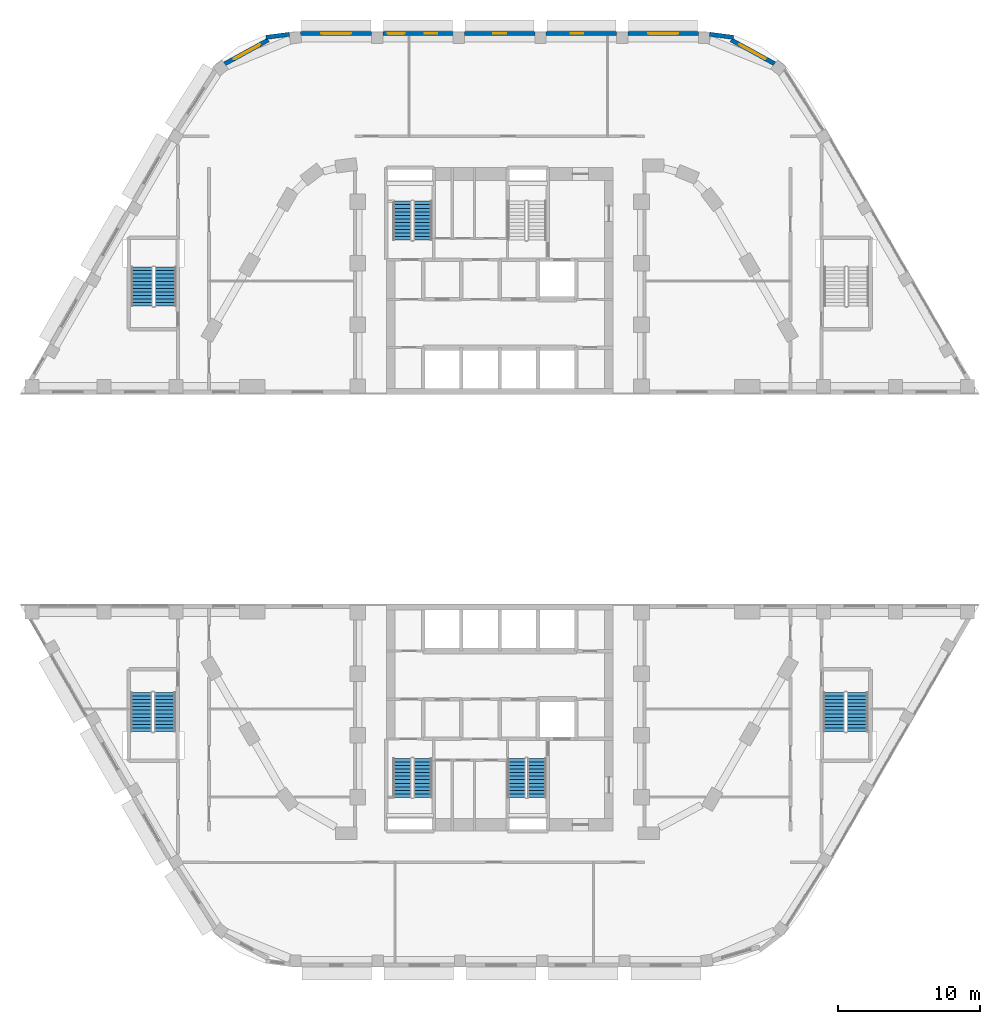
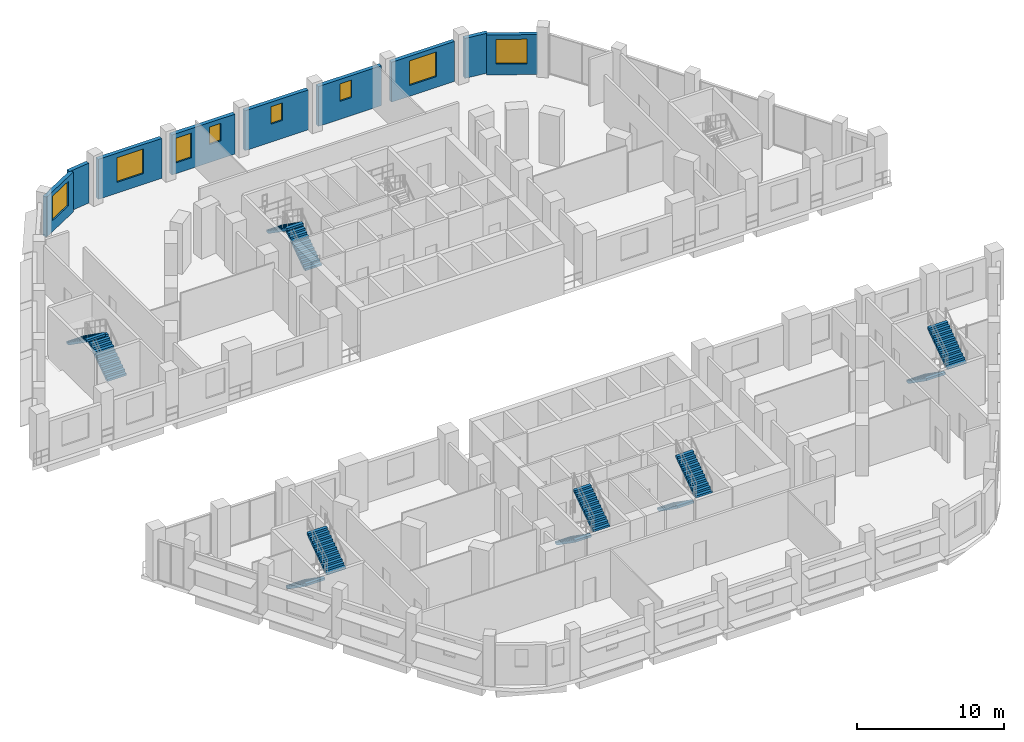
# One storey, part 16 of 22: 12 stair flights, 9 walls, 8 windows, 8 openings, 6 elements without a shape of their own.
"""IFC4 building model written with IfcOpenShell, lengths in metres."""

from ifc_helpers import new_model, si_unit, direction, frame, frame_2d, origin, place, context, subcontext, project, spatial, polyline, rectangle, outline, extrude, material, layer, layer_set, type_object, element, fill, aggregate, save


model = new_model("IFC4")

# Units and contexts
model_context = context("Model", 3, precision=1e-05, world=origin(), true_north=direction((0.0, 1.0)))
body_context = subcontext(model_context, "Body", "Model", "MODEL_VIEW")
ifc_project = project(units=[si_unit("LENGTHUNIT", "METRE"), si_unit("AREAUNIT", "SQUARE_METRE"), si_unit("VOLUMEUNIT", "CUBIC_METRE"), si_unit("PLANEANGLEUNIT", "RADIAN"), si_unit("MASSUNIT", "GRAM", prefix="KILO")], contexts=[model_context])

# Site, building, storey
site_placement = place(None, origin())
site = spatial("IfcSite", under=ifc_project, at=site_placement, CompositionType="ELEMENT")
building_placement = place(site_placement, origin())
building = spatial("IfcBuilding", under=site, at=building_placement, Name="Nakaniwa Court", CompositionType="ELEMENT")
storey_placement = place(building_placement, frame((0.0, 0.0, 24.0)))
storey = spatial("IfcBuildingStorey", under=building, at=storey_placement, Name="L05", CompositionType="ELEMENT", Elevation=24.0)

# Wall, opening, window
ifc_material_1 = material(Name="Charcoal ceramic cladding")
ifc_layer_1 = layer(ifc_material_1, 0.02, Name="Ceramic cladding")
ifc_material_2 = material(Name="Ventilated air cavity")
ifc_layer_2 = layer(ifc_material_2, 0.04, ventilated=True, Name="Ventilated cavity")
ifc_material_3 = material(Name="Mineral wool insulation")
ifc_layer_3 = layer(ifc_material_3, 0.1, Name="Insulation")
ifc_material_4 = material(Name="Cement bonded sheathing board")
ifc_layer_4 = layer(ifc_material_4, 0.012, Name="Sheathing")
ifc_material_5 = material(Name="Cold-formed galvanised stud frame with mineral wool infill")
ifc_layer_5 = layer(ifc_material_5, 0.1, Name="Stud frame")
ifc_material_6 = material(Name="Fire-rated gypsum plasterboard lining")
ifc_layer_6 = layer(ifc_material_6, 0.028, Name="Lining")
ifc_layer_set = layer_set([ifc_layer_1, ifc_layer_2, ifc_layer_3, ifc_layer_4, ifc_layer_5, ifc_layer_6], Name="Charcoal ceramic faced external wall system")
wall_type = type_object("IfcWallType", Name="Black ceramic faced external wall 300", PredefinedType="SOLIDWALL", material=ifc_layer_set)
wall_1_placement = place(storey_placement, frame((99.388671875, 110.71533203125, 0.0), z_axis=(0.0, 0.0, 1.0), x_axis=(-0.876785818174, 0.480881096581, 0.0)))
wall_1 = element("IfcWall", 1, at=wall_1_placement, inside=storey, type_object=wall_type, Name="L05 external wall 44", PredefinedType="SOLIDWALL", context=body_context, shape_type="SweptSolid", body=[
    extrude(rectangle(XDim=3.49658203125, YDim=0.300048828125, at=frame_2d((1.748291015625, 0.0))), origin(), (0.0, 0.0, 1.0), 3.324951171875),
])
opening_1_placement = place(wall_1_placement, frame((0.723388671875, 0.0, 0.89990234375)))
opening_1 = element("IfcOpeningElement", 2, at=opening_1_placement, cuts=wall_1, Name="Opening W2.31", PredefinedType="OPENING", context=body_context, shape_type="SweptSolid", body=[
    extrude(rectangle(XDim=2.10009765625, YDim=2.050048828125, at=frame_2d((1.050048828125, 1.02490234375))), frame((0.0, 0.159912109375, 0.0), z_axis=(0.0, -1.0, 0.0), x_axis=(1.0, 0.0, 0.0)), (0.0, 0.0, 1.0), 0.320068359375),
])
ifc_material_7 = material(Name="Black anodised aluminium frame with dark low-E laminated double glazing", Category="aluminium")
window_type_1 = type_object("IfcWindowType", Name="Dark glass window 2100x2050 sill 900", PartitioningType="SINGLE_PANEL", PredefinedType="WINDOW", material=ifc_material_7)
window_1_placement = place(opening_1_placement, origin())
window_1 = element("IfcWindow", 3, at=window_1_placement, inside=storey, type_object=window_type_1, Name="L05 habitable room window 44-0", OverallHeight=2.050048828125, OverallWidth=2.10009765625, PartitioningType="SINGLE_PANEL", PredefinedType="WINDOW", context=body_context, shape_type="SweptSolid", body=[
    extrude(rectangle(XDim=2.10009765625, YDim=2.050048828125, at=frame_2d((1.050048828125, 1.02490234375))), frame((0.0, 0.030029296875, 0.0), z_axis=(0.0, -1.0, 0.0), x_axis=(1.0, 0.0, 0.0)), (0.0, 0.0, 1.0), 0.06005859375),
])
fill(opening_1, window_1)

# Wall
wall_2_placement = place(storey_placement, frame((96.484619140625, 112.57861328125, 0.0), z_axis=(0.0, 0.0, 1.0), x_axis=(-0.991431291018, 0.130629227937, 0.0)))
element("IfcWall", 4, at=wall_2_placement, inside=storey, type_object=wall_type, Name="L05 external wall 45", PredefinedType="SOLIDWALL", context=body_context, shape_type="SweptSolid", body=[
    extrude(rectangle(XDim=1.698974609375, YDim=0.300048828125, at=frame_2d((0.849609375, 0.0))), origin(), (0.0, 0.0, 1.0), 3.324951171875),
])

# Wall, opening, window
wall_3_placement = place(storey_placement, frame((94.00830078125, 112.85009765625, 0.0), z_axis=(0.0, 0.0, 1.0), x_axis=(-1.0, 0.0, 0.0)))
wall_3 = element("IfcWall", 5, at=wall_3_placement, inside=storey, type_object=wall_type, Name="L05 external wall 46", PredefinedType="SOLIDWALL", context=body_context, shape_type="SweptSolid", body=[
    extrude(rectangle(XDim=4.9697265625, YDim=0.300048828125, at=frame_2d((2.48486328125, 0.0))), origin(), (0.0, 0.0, 1.0), 3.324951171875),
])
opening_2_placement = place(wall_3_placement, frame((1.434814453125, 0.0, 0.89990234375)))
opening_2 = element("IfcOpeningElement", 6, at=opening_2_placement, cuts=wall_3, Name="Opening W2.32", PredefinedType="OPENING", context=body_context, shape_type="SweptSolid", body=[
    extrude(rectangle(XDim=2.10009765625, YDim=2.050048828125, at=frame_2d((1.050048828125, 1.02490234375))), frame((0.0, 0.159912109375, 0.0), z_axis=(0.0, -1.0, 0.0), x_axis=(1.0, 0.0, 0.0)), (0.0, 0.0, 1.0), 0.320068359375),
])
window_2_placement = place(opening_2_placement, origin())
window_2 = element("IfcWindow", 7, at=window_2_placement, inside=storey, type_object=window_type_1, Name="L05 habitable room window 46-0", OverallHeight=2.050048828125, OverallWidth=2.10009765625, PartitioningType="SINGLE_PANEL", PredefinedType="WINDOW", context=body_context, shape_type="SweptSolid", body=[
    extrude(rectangle(XDim=2.10009765625, YDim=2.050048828125, at=frame_2d((1.050048828125, 1.02490234375))), frame((0.0, 0.030029296875, 0.0), z_axis=(0.0, -1.0, 0.0), x_axis=(1.0, 0.0, 0.0)), (0.0, 0.0, 1.0), 0.06005859375),
])
fill(opening_2, window_2)

wall_4_placement = place(storey_placement, frame((88.24658203125, 112.85009765625, 0.0), z_axis=(0.0, 0.0, 1.0), x_axis=(-1.0, 0.0, 0.0)))
wall_4 = element("IfcWall", 8, at=wall_4_placement, inside=storey, type_object=wall_type, Name="L05 external wall 47", PredefinedType="SOLIDWALL", context=body_context, shape_type="SweptSolid", body=[
    extrude(rectangle(XDim=4.9697265625, YDim=0.300048828125, at=frame_2d((2.48486328125, 0.0))), origin(), (0.0, 0.0, 1.0), 3.324951171875),
])
opening_3_placement = place(wall_4_placement, frame((2.34619140625, 0.0, 1.5)))
opening_3 = element("IfcOpeningElement", 9, at=opening_3_placement, cuts=wall_4, Name="Opening W3.33", PredefinedType="OPENING", context=body_context, shape_type="SweptSolid", body=[
    extrude(rectangle(XDim=0.89990234375, YDim=1.449951171875, at=frame_2d((0.449951171875, 0.72509765625))), frame((0.0, 0.159912109375, 0.0), z_axis=(0.0, -1.0, 0.0), x_axis=(1.0, 0.0, 0.0)), (0.0, 0.0, 1.0), 0.320068359375),
])
window_type_2 = type_object("IfcWindowType", Name="Dark glass window 900x1450 sill 1500", PartitioningType="SINGLE_PANEL", PredefinedType="WINDOW", material=ifc_material_7)
window_3_placement = place(opening_3_placement, origin())
window_3 = element("IfcWindow", 10, at=window_3_placement, inside=storey, type_object=window_type_2, Name="L05 bathroom window 47-1", OverallHeight=1.449951171875, OverallWidth=0.89990234375, PartitioningType="SINGLE_PANEL", PredefinedType="WINDOW", context=body_context, shape_type="SweptSolid", body=[
    extrude(rectangle(XDim=0.89990234375, YDim=1.449951171875, at=frame_2d((0.449951171875, 0.72509765625))), frame((0.0, 0.030029296875, 0.0), z_axis=(0.0, -1.0, 0.0), x_axis=(1.0, 0.0, 0.0)), (0.0, 0.0, 1.0), 0.06005859375),
])
fill(opening_3, window_3)

wall_5_placement = place(storey_placement, frame((82.48486328125, 112.85009765625, 0.0), z_axis=(0.0, 0.0, 1.0), x_axis=(-1.0, 0.0, 0.0)))
wall_5 = element("IfcWall", 11, at=wall_5_placement, inside=storey, type_object=wall_type, Name="L05 external wall 48", PredefinedType="SOLIDWALL", context=body_context, shape_type="SweptSolid", body=[
    extrude(rectangle(XDim=4.9697265625, YDim=0.300048828125, at=frame_2d((2.48486328125, 0.0))), origin(), (0.0, 0.0, 1.0), 3.324951171875),
])
opening_4_placement = place(wall_5_placement, frame((2.034912109375, 0.0, 1.5)))
opening_4 = element("IfcOpeningElement", 12, at=opening_4_placement, cuts=wall_5, Name="Opening W3.34", PredefinedType="OPENING", context=body_context, shape_type="SweptSolid", body=[
    extrude(rectangle(XDim=0.89990234375, YDim=1.449951171875, at=frame_2d((0.449951171875, 0.72509765625))), frame((0.0, 0.159912109375, 0.0), z_axis=(0.0, -1.0, 0.0), x_axis=(1.0, 0.0, 0.0)), (0.0, 0.0, 1.0), 0.320068359375),
])
window_4_placement = place(opening_4_placement, origin())
window_4 = element("IfcWindow", 13, at=window_4_placement, inside=storey, type_object=window_type_2, Name="L05 bathroom window 48-0", OverallHeight=1.449951171875, OverallWidth=0.89990234375, PartitioningType="SINGLE_PANEL", PredefinedType="WINDOW", context=body_context, shape_type="SweptSolid", body=[
    extrude(rectangle(XDim=0.89990234375, YDim=1.449951171875, at=frame_2d((0.449951171875, 0.72509765625))), frame((0.0, 0.030029296875, 0.0), z_axis=(0.0, -1.0, 0.0), x_axis=(1.0, 0.0, 0.0)), (0.0, 0.0, 1.0), 0.06005859375),
])
fill(opening_4, window_4)

# Wall, openings, windows
wall_6_placement = place(storey_placement, frame((76.72314453125, 112.85009765625, 0.0), z_axis=(0.0, 0.0, 1.0), x_axis=(-1.0, 0.0, 0.0)))
wall_6 = element("IfcWall", 14, at=wall_6_placement, inside=storey, type_object=wall_type, Name="L05 external wall 49", PredefinedType="SOLIDWALL", context=body_context, shape_type="SweptSolid", body=[
    extrude(rectangle(XDim=4.9697265625, YDim=0.300048828125, at=frame_2d((2.48486328125, 0.0))), origin(), (0.0, 0.0, 1.0), 3.324951171875),
])
opening_5_placement = place(wall_6_placement, frame((1.12353515625, 0.0, 1.5)))
opening_5 = element("IfcOpeningElement", 15, at=opening_5_placement, cuts=wall_6, Name="Opening W3.35", PredefinedType="OPENING", context=body_context, shape_type="SweptSolid", body=[
    extrude(rectangle(XDim=0.89990234375, YDim=1.449951171875, at=frame_2d((0.449951171875, 0.72509765625))), frame((0.0, 0.159912109375, 0.0), z_axis=(0.0, -1.0, 0.0), x_axis=(1.0, 0.0, 0.0)), (0.0, 0.0, 1.0), 0.320068359375),
])
opening_6_placement = place(wall_6_placement, frame((3.434326171875, 0.0, 0.89990234375)))
opening_6 = element("IfcOpeningElement", 16, at=opening_6_placement, cuts=wall_6, Name="Opening W1.36", PredefinedType="OPENING", context=body_context, shape_type="SweptSolid", body=[
    extrude(rectangle(XDim=1.199951171875, YDim=2.050048828125, at=frame_2d((0.60009765625, 1.02490234375))), frame((0.0, 0.159912109375, 0.0), z_axis=(0.0, -1.0, 0.0), x_axis=(1.0, 0.0, 0.0)), (0.0, 0.0, 1.0), 0.320068359375),
])
window_type_3 = type_object("IfcWindowType", Name="Dark glass window 1200x2050 sill 900", PartitioningType="SINGLE_PANEL", PredefinedType="WINDOW", material=ifc_material_7)
window_5_placement = place(opening_6_placement, origin())
window_5 = element("IfcWindow", 17, at=window_5_placement, inside=storey, type_object=window_type_3, Name="L05 habitable room window 49-1", OverallHeight=2.050048828125, OverallWidth=1.199951171875, PartitioningType="SINGLE_PANEL", PredefinedType="WINDOW", context=body_context, shape_type="SweptSolid", body=[
    extrude(rectangle(XDim=1.199951171875, YDim=2.050048828125, at=frame_2d((0.60009765625, 1.02490234375))), frame((0.0, 0.030029296875, 0.0), z_axis=(0.0, -1.0, 0.0), x_axis=(1.0, 0.0, 0.0)), (0.0, 0.0, 1.0), 0.06005859375),
])
fill(opening_6, window_5)
window_6_placement = place(opening_5_placement, origin())
window_6 = element("IfcWindow", 18, at=window_6_placement, inside=storey, type_object=window_type_2, Name="L05 bathroom window 49-0", OverallHeight=1.449951171875, OverallWidth=0.89990234375, PartitioningType="SINGLE_PANEL", PredefinedType="WINDOW", context=body_context, shape_type="SweptSolid", body=[
    extrude(rectangle(XDim=0.89990234375, YDim=1.449951171875, at=frame_2d((0.449951171875, 0.72509765625))), frame((0.0, 0.030029296875, 0.0), z_axis=(0.0, -1.0, 0.0), x_axis=(1.0, 0.0, 0.0)), (0.0, 0.0, 1.0), 0.06005859375),
])
fill(opening_5, window_6)

# Wall, opening, window
wall_7_placement = place(storey_placement, frame((70.96142578125, 112.85009765625, 0.0), z_axis=(0.0, 0.0, 1.0), x_axis=(-1.0, 0.0, 0.0)))
wall_7 = element("IfcWall", 19, at=wall_7_placement, inside=storey, type_object=wall_type, Name="L05 external wall 50", PredefinedType="SOLIDWALL", context=body_context, shape_type="SweptSolid", body=[
    extrude(rectangle(XDim=5.005615234375, YDim=0.300048828125, at=frame_2d((2.5029296875, 0.0))), origin(), (0.0, 0.0, 1.0), 3.324951171875),
])
opening_7_placement = place(wall_7_placement, frame((1.441650390625, 0.0, 0.89990234375)))
opening_7 = element("IfcOpeningElement", 20, at=opening_7_placement, cuts=wall_7, Name="Opening W2.37", PredefinedType="OPENING", context=body_context, shape_type="SweptSolid", body=[
    extrude(rectangle(XDim=2.10009765625, YDim=2.050048828125, at=frame_2d((1.050048828125, 1.02490234375))), frame((0.0, 0.159912109375, 0.0), z_axis=(0.0, -1.0, 0.0), x_axis=(1.0, 0.0, 0.0)), (0.0, 0.0, 1.0), 0.320068359375),
])
window_7_placement = place(opening_7_placement, origin())
window_7 = element("IfcWindow", 21, at=window_7_placement, inside=storey, type_object=window_type_1, Name="L05 habitable room window 50-0", OverallHeight=2.050048828125, OverallWidth=2.10009765625, PartitioningType="SINGLE_PANEL", PredefinedType="WINDOW", context=body_context, shape_type="SweptSolid", body=[
    extrude(rectangle(XDim=2.10009765625, YDim=2.050048828125, at=frame_2d((1.050048828125, 1.02490234375))), frame((0.0, 0.030029296875, 0.0), z_axis=(0.0, -1.0, 0.0), x_axis=(1.0, 0.0, 0.0)), (0.0, 0.0, 1.0), 0.06005859375),
])
fill(opening_7, window_7)

# Wall
wall_8_placement = place(storey_placement, frame((65.1640625, 112.795654296875, 0.0), z_axis=(0.0, 0.0, 1.0), x_axis=(-0.991445798324, -0.130519075183, 0.0)))
element("IfcWall", 22, at=wall_8_placement, inside=storey, type_object=wall_type, Name="L05 external wall 51", PredefinedType="SOLIDWALL", context=body_context, shape_type="SweptSolid", body=[
    extrude(rectangle(XDim=1.662841796875, YDim=0.300048828125, at=frame_2d((0.83154296875, 0.0))), origin(), (0.0, 0.0, 1.0), 3.324951171875),
])

# Wall, opening, window
wall_9_placement = place(storey_placement, frame((63.677978515625, 112.395751953125, 0.0), z_axis=(0.0, 0.0, 1.0), x_axis=(-0.876502039768, -0.481398145284, 0.0)))
wall_9 = element("IfcWall", 23, at=wall_9_placement, inside=storey, type_object=wall_type, Name="L05 external wall 52", PredefinedType="SOLIDWALL", context=body_context, shape_type="SweptSolid", body=[
    extrude(rectangle(XDim=3.510986328125, YDim=0.300048828125, at=frame_2d((1.75537109375, 0.0))), origin(), (0.0, 0.0, 1.0), 3.324951171875),
])
opening_8_placement = place(wall_9_placement, frame((0.680419921875, 0.0, 0.89990234375)))
opening_8 = element("IfcOpeningElement", 24, at=opening_8_placement, cuts=wall_9, Name="Opening W2.38", PredefinedType="OPENING", context=body_context, shape_type="SweptSolid", body=[
    extrude(rectangle(XDim=2.10009765625, YDim=2.050048828125, at=frame_2d((1.050048828125, 1.02490234375))), frame((0.0, 0.159912109375, 0.0), z_axis=(0.0, -1.0, 0.0), x_axis=(1.0, 0.0, 0.0)), (0.0, 0.0, 1.0), 0.320068359375),
])
window_8_placement = place(opening_8_placement, origin())
window_8 = element("IfcWindow", 25, at=window_8_placement, inside=storey, type_object=window_type_1, Name="L05 habitable room window 52-0", OverallHeight=2.050048828125, OverallWidth=2.10009765625, PartitioningType="SINGLE_PANEL", PredefinedType="WINDOW", context=body_context, shape_type="SweptSolid", body=[
    extrude(rectangle(XDim=2.10009765625, YDim=2.050048828125, at=frame_2d((1.050048828125, 1.02490234375))), frame((0.0, 0.030029296875, 0.0), z_axis=(0.0, -1.0, 0.0), x_axis=(1.0, 0.0, 0.0)), (0.0, 0.0, 1.0), 0.06005859375),
])
fill(opening_8, window_8)

# Stair, stair flights
ifc_material_8 = material(Name="Concrete C80/100", Category="concrete")
stair_type_1 = type_object("IfcStairType", Name="Dog leg stair 1300 wide 24 risers", PredefinedType="HALF_TURN_STAIR", material=ifc_material_8)
stair_1_placement = place(storey_placement, origin())
stair_1 = element("IfcStair", 26, at=stair_1_placement, inside=storey, type_object=stair_type_1, Name="L05 Stair ST1", PredefinedType="HALF_TURN_STAIR")
stair_flight_type_1 = type_object("IfcStairFlightType", Name="Stair flight 1300 wide 12 risers", PredefinedType="STRAIGHT", material=ifc_material_8)
stair_flight_1_placement = place(storey_placement, frame((74.574951171875, 98.27490234375, 0.0), z_axis=(0.0, 0.0, 1.0), x_axis=(0.0, 1.0, 0.0)))
stair_flight_1 = element("IfcStairFlight", 27, at=stair_flight_1_placement, type_object=stair_flight_type_1, Name="ST1 flight 1", NumberOfRisers=12, NumberOfTreads=11, PredefinedType="STRAIGHT", RiserHeight=0.175, TreadLength=0.25, context=body_context, shape_type="SweptSolid", body=[
    extrude(outline(polyline([(0.0, 0.0), (0.0, 0.02490234375), (0.0, 0.050048828125), (0.0, 0.074951171875), (0.0, 0.10009765625), (0.0, 0.125), (0.0, 0.14990234375), (0.0, 0.175048828125), (0.25, 0.175048828125), (0.25, 0.35009765625), (0.5, 0.35009765625), (0.5, 0.52490234375), (0.75, 0.52490234375), (0.75, 0.699951171875), (1.0, 0.699951171875), (1.0, 0.875), (1.25, 0.875), (1.25, 1.050048828125), (1.5, 1.050048828125), (1.5, 1.22509765625), (1.75, 1.22509765625), (1.75, 1.39990234375), (2.0, 1.39990234375), (2.0, 1.574951171875), (2.25, 1.574951171875), (2.25, 1.75), (2.5, 1.75), (2.5, 1.925048828125), (2.75, 1.925048828125), (2.75, 2.10009765625), (2.75, 2.048828125), (2.75, 1.997802734375), (2.75, 1.946533203125), (2.75, 1.8955078125), (2.75, 1.84423828125), (2.75, 1.793212890625), (2.75, 1.741943359375), (0.261474609375, 0.0), (0.0, 0.0)])), frame((0.0, 0.64990234375, 0.0), z_axis=(0.0, -1.0, 0.0), x_axis=(1.0, 0.0, 0.0)), (0.0, 0.0, 1.0), 1.300048828125),
])
stair_flight_2_placement = place(storey_placement, frame((73.125, 101.02490234375, 2.10009765625), z_axis=(0.0, 0.0, 1.0), x_axis=(0.0, -1.0, 0.0)))
stair_flight_2 = element("IfcStairFlight", 28, at=stair_flight_2_placement, type_object=stair_flight_type_1, Name="ST1 flight 2", NumberOfRisers=12, NumberOfTreads=11, PredefinedType="STRAIGHT", RiserHeight=0.175, TreadLength=0.25, context=body_context, shape_type="SweptSolid", body=[
    extrude(outline(polyline([(0.0, 0.0), (0.0, 0.02490234375), (0.0, 0.050048828125), (0.0, 0.074951171875), (0.0, 0.10009765625), (0.0, 0.125), (0.0, 0.14990234375), (0.0, 0.175048828125), (0.25, 0.175048828125), (0.25, 0.35009765625), (0.5, 0.35009765625), (0.5, 0.52490234375), (0.75, 0.52490234375), (0.75, 0.699951171875), (1.0, 0.699951171875), (1.0, 0.875), (1.25, 0.875), (1.25, 1.050048828125), (1.5, 1.050048828125), (1.5, 1.22509765625), (1.75, 1.22509765625), (1.75, 1.39990234375), (2.0, 1.39990234375), (2.0, 1.574951171875), (2.25, 1.574951171875), (2.25, 1.75), (2.5, 1.75), (2.5, 1.925048828125), (2.75, 1.925048828125), (2.75, 2.10009765625), (2.75, 2.048828125), (2.75, 1.997802734375), (2.75, 1.946533203125), (2.75, 1.8955078125), (2.75, 1.84423828125), (2.75, 1.793212890625), (2.75, 1.741943359375), (0.261474609375, 0.0), (0.0, 0.0)])), frame((0.0, 0.64990234375, 0.0), z_axis=(0.0, -1.0, 0.0), x_axis=(1.0, 0.0, 0.0)), (0.0, 0.0, 1.0), 1.300048828125),
])
aggregate(stair_1, [stair_flight_1, stair_flight_2])

stair_2_placement = place(storey_placement, origin())
stair_2 = element("IfcStair", 29, at=stair_2_placement, inside=storey, type_object=stair_type_1, Name="L05 Stair ST3", PredefinedType="HALF_TURN_STAIR")
stair_flight_3_placement = place(storey_placement, frame((73.125, 61.72509765625, 0.0), z_axis=(0.0, 0.0, 1.0), x_axis=(0.0, -1.0, 0.0)))
stair_flight_3 = element("IfcStairFlight", 30, at=stair_flight_3_placement, type_object=stair_flight_type_1, Name="ST3 flight 1", NumberOfRisers=12, NumberOfTreads=11, PredefinedType="STRAIGHT", RiserHeight=0.175, TreadLength=0.25, context=body_context, shape_type="SweptSolid", body=[
    extrude(outline(polyline([(0.0, 0.0), (0.0, 0.02490234375), (0.0, 0.050048828125), (0.0, 0.074951171875), (0.0, 0.10009765625), (0.0, 0.125), (0.0, 0.14990234375), (0.0, 0.175048828125), (0.25, 0.175048828125), (0.25, 0.35009765625), (0.5, 0.35009765625), (0.5, 0.52490234375), (0.75, 0.52490234375), (0.75, 0.699951171875), (1.0, 0.699951171875), (1.0, 0.875), (1.25, 0.875), (1.25, 1.050048828125), (1.5, 1.050048828125), (1.5, 1.22509765625), (1.75, 1.22509765625), (1.75, 1.39990234375), (2.0, 1.39990234375), (2.0, 1.574951171875), (2.25, 1.574951171875), (2.25, 1.75), (2.5, 1.75), (2.5, 1.925048828125), (2.75, 1.925048828125), (2.75, 2.10009765625), (2.75, 2.048828125), (2.75, 1.997802734375), (2.75, 1.946533203125), (2.75, 1.8955078125), (2.75, 1.84423828125), (2.75, 1.793212890625), (2.75, 1.741943359375), (0.261474609375, 0.0), (0.0, 0.0)])), frame((0.0, 0.64990234375, 0.0), z_axis=(0.0, -1.0, 0.0), x_axis=(1.0, 0.0, 0.0)), (0.0, 0.0, 1.0), 1.300048828125),
])
stair_flight_4_placement = place(storey_placement, frame((74.574951171875, 58.97509765625, 2.10009765625), z_axis=(0.0, 0.0, 1.0), x_axis=(0.0, 1.0, 0.0)))
stair_flight_4 = element("IfcStairFlight", 31, at=stair_flight_4_placement, type_object=stair_flight_type_1, Name="ST3 flight 2", NumberOfRisers=12, NumberOfTreads=11, PredefinedType="STRAIGHT", RiserHeight=0.175, TreadLength=0.25, context=body_context, shape_type="SweptSolid", body=[
    extrude(outline(polyline([(0.0, 0.0), (0.0, 0.02490234375), (0.0, 0.050048828125), (0.0, 0.074951171875), (0.0, 0.10009765625), (0.0, 0.125), (0.0, 0.14990234375), (0.0, 0.175048828125), (0.25, 0.175048828125), (0.25, 0.35009765625), (0.5, 0.35009765625), (0.5, 0.52490234375), (0.75, 0.52490234375), (0.75, 0.699951171875), (1.0, 0.699951171875), (1.0, 0.875), (1.25, 0.875), (1.25, 1.050048828125), (1.5, 1.050048828125), (1.5, 1.22509765625), (1.75, 1.22509765625), (1.75, 1.39990234375), (2.0, 1.39990234375), (2.0, 1.574951171875), (2.25, 1.574951171875), (2.25, 1.75), (2.5, 1.75), (2.5, 1.925048828125), (2.75, 1.925048828125), (2.75, 2.10009765625), (2.75, 2.048828125), (2.75, 1.997802734375), (2.75, 1.946533203125), (2.75, 1.8955078125), (2.75, 1.84423828125), (2.75, 1.793212890625), (2.75, 1.741943359375), (0.261474609375, 0.0), (0.0, 0.0)])), frame((0.0, 0.64990234375, 0.0), z_axis=(0.0, -1.0, 0.0), x_axis=(1.0, 0.0, 0.0)), (0.0, 0.0, 1.0), 1.300048828125),
])
aggregate(stair_2, [stair_flight_3, stair_flight_4])

stair_3_placement = place(storey_placement, origin())
stair_3 = element("IfcStair", 32, at=stair_3_placement, inside=storey, type_object=stair_type_1, Name="L05 Stair ST4", PredefinedType="HALF_TURN_STAIR")
stair_flight_5_placement = place(storey_placement, frame((81.175048828125, 61.72509765625, 0.0), z_axis=(0.0, 0.0, 1.0), x_axis=(0.0, -1.0, 0.0)))
stair_flight_5 = element("IfcStairFlight", 33, at=stair_flight_5_placement, type_object=stair_flight_type_1, Name="ST4 flight 1", NumberOfRisers=12, NumberOfTreads=11, PredefinedType="STRAIGHT", RiserHeight=0.175, TreadLength=0.25, context=body_context, shape_type="SweptSolid", body=[
    extrude(outline(polyline([(0.0, 0.0), (0.0, 0.02490234375), (0.0, 0.050048828125), (0.0, 0.074951171875), (0.0, 0.10009765625), (0.0, 0.125), (0.0, 0.14990234375), (0.0, 0.175048828125), (0.25, 0.175048828125), (0.25, 0.35009765625), (0.5, 0.35009765625), (0.5, 0.52490234375), (0.75, 0.52490234375), (0.75, 0.699951171875), (1.0, 0.699951171875), (1.0, 0.875), (1.25, 0.875), (1.25, 1.050048828125), (1.5, 1.050048828125), (1.5, 1.22509765625), (1.75, 1.22509765625), (1.75, 1.39990234375), (2.0, 1.39990234375), (2.0, 1.574951171875), (2.25, 1.574951171875), (2.25, 1.75), (2.5, 1.75), (2.5, 1.925048828125), (2.75, 1.925048828125), (2.75, 2.10009765625), (2.75, 2.048828125), (2.75, 1.997802734375), (2.75, 1.946533203125), (2.75, 1.8955078125), (2.75, 1.84423828125), (2.75, 1.793212890625), (2.75, 1.741943359375), (0.261474609375, 0.0), (0.0, 0.0)])), frame((0.0, 0.64990234375, 0.0), z_axis=(0.0, -1.0, 0.0), x_axis=(1.0, 0.0, 0.0)), (0.0, 0.0, 1.0), 1.300048828125),
])
stair_flight_6_placement = place(storey_placement, frame((82.625, 58.97509765625, 2.10009765625), z_axis=(0.0, 0.0, 1.0), x_axis=(0.0, 1.0, 0.0)))
stair_flight_6 = element("IfcStairFlight", 34, at=stair_flight_6_placement, type_object=stair_flight_type_1, Name="ST4 flight 2", NumberOfRisers=12, NumberOfTreads=11, PredefinedType="STRAIGHT", RiserHeight=0.175, TreadLength=0.25, context=body_context, shape_type="SweptSolid", body=[
    extrude(outline(polyline([(0.0, 0.0), (0.0, 0.02490234375), (0.0, 0.050048828125), (0.0, 0.074951171875), (0.0, 0.10009765625), (0.0, 0.125), (0.0, 0.14990234375), (0.0, 0.175048828125), (0.25, 0.175048828125), (0.25, 0.35009765625), (0.5, 0.35009765625), (0.5, 0.52490234375), (0.75, 0.52490234375), (0.75, 0.699951171875), (1.0, 0.699951171875), (1.0, 0.875), (1.25, 0.875), (1.25, 1.050048828125), (1.5, 1.050048828125), (1.5, 1.22509765625), (1.75, 1.22509765625), (1.75, 1.39990234375), (2.0, 1.39990234375), (2.0, 1.574951171875), (2.25, 1.574951171875), (2.25, 1.75), (2.5, 1.75), (2.5, 1.925048828125), (2.75, 1.925048828125), (2.75, 2.10009765625), (2.75, 2.048828125), (2.75, 1.997802734375), (2.75, 1.946533203125), (2.75, 1.8955078125), (2.75, 1.84423828125), (2.75, 1.793212890625), (2.75, 1.741943359375), (0.261474609375, 0.0), (0.0, 0.0)])), frame((0.0, 0.64990234375, 0.0), z_axis=(0.0, -1.0, 0.0), x_axis=(1.0, 0.0, 0.0)), (0.0, 0.0, 1.0), 1.300048828125),
])
aggregate(stair_3, [stair_flight_5, stair_flight_6])

stair_type_2 = type_object("IfcStairType", Name="Dog leg stair 1500 wide 24 risers", PredefinedType="HALF_TURN_STAIR", material=ifc_material_8)
stair_4_placement = place(storey_placement, origin())
stair_4 = element("IfcStair", 35, at=stair_4_placement, inside=storey, type_object=stair_type_2, Name="L05 Stair SS2", PredefinedType="HALF_TURN_STAIR")
stair_flight_type_2 = type_object("IfcStairFlightType", Name="Stair flight 1500 wide 12 risers", PredefinedType="STRAIGHT", material=ifc_material_8)
stair_flight_7_placement = place(storey_placement, frame((56.425048828125, 93.625, 0.0), z_axis=(0.0, 0.0, 1.0), x_axis=(0.0, 1.0, 0.0)))
stair_flight_7 = element("IfcStairFlight", 36, at=stair_flight_7_placement, type_object=stair_flight_type_2, Name="SS2 flight 1", NumberOfRisers=12, NumberOfTreads=11, PredefinedType="STRAIGHT", RiserHeight=0.175, TreadLength=0.25, context=body_context, shape_type="SweptSolid", body=[
    extrude(outline(polyline([(0.0, 0.0), (0.0, 0.02490234375), (0.0, 0.050048828125), (0.0, 0.074951171875), (0.0, 0.10009765625), (0.0, 0.125), (0.0, 0.14990234375), (0.0, 0.175048828125), (0.25, 0.175048828125), (0.25, 0.35009765625), (0.5, 0.35009765625), (0.5, 0.52490234375), (0.75, 0.52490234375), (0.75, 0.699951171875), (1.0, 0.699951171875), (1.0, 0.875), (1.25, 0.875), (1.25, 1.050048828125), (1.5, 1.050048828125), (1.5, 1.22509765625), (1.75, 1.22509765625), (1.75, 1.39990234375), (2.0, 1.39990234375), (2.0, 1.574951171875), (2.25, 1.574951171875), (2.25, 1.75), (2.5, 1.75), (2.5, 1.925048828125), (2.75, 1.925048828125), (2.75, 2.10009765625), (2.75, 2.048828125), (2.75, 1.997802734375), (2.75, 1.946533203125), (2.75, 1.8955078125), (2.75, 1.84423828125), (2.75, 1.793212890625), (2.75, 1.741943359375), (0.261474609375, 0.0), (0.0, 0.0)])), frame((0.0, 0.75, 0.0), z_axis=(0.0, -1.0, 0.0), x_axis=(1.0, 0.0, 0.0)), (0.0, 0.0, 1.0), 1.5),
])
stair_flight_8_placement = place(storey_placement, frame((54.77490234375, 96.375, 2.10009765625), z_axis=(0.0, 0.0, 1.0), x_axis=(0.0, -1.0, 0.0)))
stair_flight_8 = element("IfcStairFlight", 37, at=stair_flight_8_placement, type_object=stair_flight_type_2, Name="SS2 flight 2", NumberOfRisers=12, NumberOfTreads=11, PredefinedType="STRAIGHT", RiserHeight=0.175, TreadLength=0.25, context=body_context, shape_type="SweptSolid", body=[
    extrude(outline(polyline([(0.0, 0.0), (0.0, 0.02490234375), (0.0, 0.050048828125), (0.0, 0.074951171875), (0.0, 0.10009765625), (0.0, 0.125), (0.0, 0.14990234375), (0.0, 0.175048828125), (0.25, 0.175048828125), (0.25, 0.35009765625), (0.5, 0.35009765625), (0.5, 0.52490234375), (0.75, 0.52490234375), (0.75, 0.699951171875), (1.0, 0.699951171875), (1.0, 0.875), (1.25, 0.875), (1.25, 1.050048828125), (1.5, 1.050048828125), (1.5, 1.22509765625), (1.75, 1.22509765625), (1.75, 1.39990234375), (2.0, 1.39990234375), (2.0, 1.574951171875), (2.25, 1.574951171875), (2.25, 1.75), (2.5, 1.75), (2.5, 1.925048828125), (2.75, 1.925048828125), (2.75, 2.10009765625), (2.75, 2.048828125), (2.75, 1.997802734375), (2.75, 1.946533203125), (2.75, 1.8955078125), (2.75, 1.84423828125), (2.75, 1.793212890625), (2.75, 1.741943359375), (0.261474609375, 0.0), (0.0, 0.0)])), frame((0.0, 0.75, 0.0), z_axis=(0.0, -1.0, 0.0), x_axis=(1.0, 0.0, 0.0)), (0.0, 0.0, 1.0), 1.5),
])
aggregate(stair_4, [stair_flight_7, stair_flight_8])

stair_5_placement = place(storey_placement, origin())
stair_5 = element("IfcStair", 38, at=stair_5_placement, inside=storey, type_object=stair_type_2, Name="L05 Stair SS3", PredefinedType="HALF_TURN_STAIR")
stair_flight_9_placement = place(storey_placement, frame((103.574951171875, 66.375, 0.0), z_axis=(0.0, 0.0, 1.0), x_axis=(0.0, -1.0, 0.0)))
stair_flight_9 = element("IfcStairFlight", 39, at=stair_flight_9_placement, type_object=stair_flight_type_2, Name="SS3 flight 1", NumberOfRisers=12, NumberOfTreads=11, PredefinedType="STRAIGHT", RiserHeight=0.175, TreadLength=0.25, context=body_context, shape_type="SweptSolid", body=[
    extrude(outline(polyline([(0.0, 0.0), (0.0, 0.02490234375), (0.0, 0.050048828125), (0.0, 0.074951171875), (0.0, 0.10009765625), (0.0, 0.125), (0.0, 0.14990234375), (0.0, 0.175048828125), (0.25, 0.175048828125), (0.25, 0.35009765625), (0.5, 0.35009765625), (0.5, 0.52490234375), (0.75, 0.52490234375), (0.75, 0.699951171875), (1.0, 0.699951171875), (1.0, 0.875), (1.25, 0.875), (1.25, 1.050048828125), (1.5, 1.050048828125), (1.5, 1.22509765625), (1.75, 1.22509765625), (1.75, 1.39990234375), (2.0, 1.39990234375), (2.0, 1.574951171875), (2.25, 1.574951171875), (2.25, 1.75), (2.5, 1.75), (2.5, 1.925048828125), (2.75, 1.925048828125), (2.75, 2.10009765625), (2.75, 2.048828125), (2.75, 1.997802734375), (2.75, 1.946533203125), (2.75, 1.8955078125), (2.75, 1.84423828125), (2.75, 1.793212890625), (2.75, 1.741943359375), (0.261474609375, 0.0), (0.0, 0.0)])), frame((0.0, 0.75, 0.0), z_axis=(0.0, -1.0, 0.0), x_axis=(1.0, 0.0, 0.0)), (0.0, 0.0, 1.0), 1.5),
])
stair_flight_10_placement = place(storey_placement, frame((105.22509765625, 63.625, 2.10009765625), z_axis=(0.0, 0.0, 1.0), x_axis=(0.0, 1.0, 0.0)))
stair_flight_10 = element("IfcStairFlight", 40, at=stair_flight_10_placement, type_object=stair_flight_type_2, Name="SS3 flight 2", NumberOfRisers=12, NumberOfTreads=11, PredefinedType="STRAIGHT", RiserHeight=0.175, TreadLength=0.25, context=body_context, shape_type="SweptSolid", body=[
    extrude(outline(polyline([(0.0, 0.0), (0.0, 0.02490234375), (0.0, 0.050048828125), (0.0, 0.074951171875), (0.0, 0.10009765625), (0.0, 0.125), (0.0, 0.14990234375), (0.0, 0.175048828125), (0.25, 0.175048828125), (0.25, 0.35009765625), (0.5, 0.35009765625), (0.5, 0.52490234375), (0.75, 0.52490234375), (0.75, 0.699951171875), (1.0, 0.699951171875), (1.0, 0.875), (1.25, 0.875), (1.25, 1.050048828125), (1.5, 1.050048828125), (1.5, 1.22509765625), (1.75, 1.22509765625), (1.75, 1.39990234375), (2.0, 1.39990234375), (2.0, 1.574951171875), (2.25, 1.574951171875), (2.25, 1.75), (2.5, 1.75), (2.5, 1.925048828125), (2.75, 1.925048828125), (2.75, 2.10009765625), (2.75, 2.048828125), (2.75, 1.997802734375), (2.75, 1.946533203125), (2.75, 1.8955078125), (2.75, 1.84423828125), (2.75, 1.793212890625), (2.75, 1.741943359375), (0.261474609375, 0.0), (0.0, 0.0)])), frame((0.0, 0.75, 0.0), z_axis=(0.0, -1.0, 0.0), x_axis=(1.0, 0.0, 0.0)), (0.0, 0.0, 1.0), 1.5),
])
aggregate(stair_5, [stair_flight_9, stair_flight_10])

stair_6_placement = place(storey_placement, origin())
stair_6 = element("IfcStair", 41, at=stair_6_placement, inside=storey, type_object=stair_type_2, Name="L05 Stair SS4", PredefinedType="HALF_TURN_STAIR")
stair_flight_11_placement = place(storey_placement, frame((54.72509765625, 66.375, 0.0), z_axis=(0.0, 0.0, 1.0), x_axis=(0.0, -1.0, 0.0)))
stair_flight_11 = element("IfcStairFlight", 42, at=stair_flight_11_placement, type_object=stair_flight_type_2, Name="SS4 flight 1", NumberOfRisers=12, NumberOfTreads=11, PredefinedType="STRAIGHT", RiserHeight=0.175, TreadLength=0.25, context=body_context, shape_type="SweptSolid", body=[
    extrude(outline(polyline([(0.0, 0.0), (0.0, 0.02490234375), (0.0, 0.050048828125), (0.0, 0.074951171875), (0.0, 0.10009765625), (0.0, 0.125), (0.0, 0.14990234375), (0.0, 0.175048828125), (0.25, 0.175048828125), (0.25, 0.35009765625), (0.5, 0.35009765625), (0.5, 0.52490234375), (0.75, 0.52490234375), (0.75, 0.699951171875), (1.0, 0.699951171875), (1.0, 0.875), (1.25, 0.875), (1.25, 1.050048828125), (1.5, 1.050048828125), (1.5, 1.22509765625), (1.75, 1.22509765625), (1.75, 1.39990234375), (2.0, 1.39990234375), (2.0, 1.574951171875), (2.25, 1.574951171875), (2.25, 1.75), (2.5, 1.75), (2.5, 1.925048828125), (2.75, 1.925048828125), (2.75, 2.10009765625), (2.75, 2.048828125), (2.75, 1.997802734375), (2.75, 1.946533203125), (2.75, 1.8955078125), (2.75, 1.84423828125), (2.75, 1.793212890625), (2.75, 1.741943359375), (0.261474609375, 0.0), (0.0, 0.0)])), frame((0.0, 0.75, 0.0), z_axis=(0.0, -1.0, 0.0), x_axis=(1.0, 0.0, 0.0)), (0.0, 0.0, 1.0), 1.5),
])
stair_flight_12_placement = place(storey_placement, frame((56.375, 63.625, 2.10009765625), z_axis=(0.0, 0.0, 1.0), x_axis=(0.0, 1.0, 0.0)))
stair_flight_12 = element("IfcStairFlight", 43, at=stair_flight_12_placement, type_object=stair_flight_type_2, Name="SS4 flight 2", NumberOfRisers=12, NumberOfTreads=11, PredefinedType="STRAIGHT", RiserHeight=0.175, TreadLength=0.25, context=body_context, shape_type="SweptSolid", body=[
    extrude(outline(polyline([(0.0, 0.0), (0.0, 0.02490234375), (0.0, 0.050048828125), (0.0, 0.074951171875), (0.0, 0.10009765625), (0.0, 0.125), (0.0, 0.14990234375), (0.0, 0.175048828125), (0.25, 0.175048828125), (0.25, 0.35009765625), (0.5, 0.35009765625), (0.5, 0.52490234375), (0.75, 0.52490234375), (0.75, 0.699951171875), (1.0, 0.699951171875), (1.0, 0.875), (1.25, 0.875), (1.25, 1.050048828125), (1.5, 1.050048828125), (1.5, 1.22509765625), (1.75, 1.22509765625), (1.75, 1.39990234375), (2.0, 1.39990234375), (2.0, 1.574951171875), (2.25, 1.574951171875), (2.25, 1.75), (2.5, 1.75), (2.5, 1.925048828125), (2.75, 1.925048828125), (2.75, 2.10009765625), (2.75, 2.048828125), (2.75, 1.997802734375), (2.75, 1.946533203125), (2.75, 1.8955078125), (2.75, 1.84423828125), (2.75, 1.793212890625), (2.75, 1.741943359375), (0.261474609375, 0.0), (0.0, 0.0)])), frame((0.0, 0.75, 0.0), z_axis=(0.0, -1.0, 0.0), x_axis=(1.0, 0.0, 0.0)), (0.0, 0.0, 1.0), 1.5),
])
aggregate(stair_6, [stair_flight_11, stair_flight_12])

save(model, "model.ifc")
